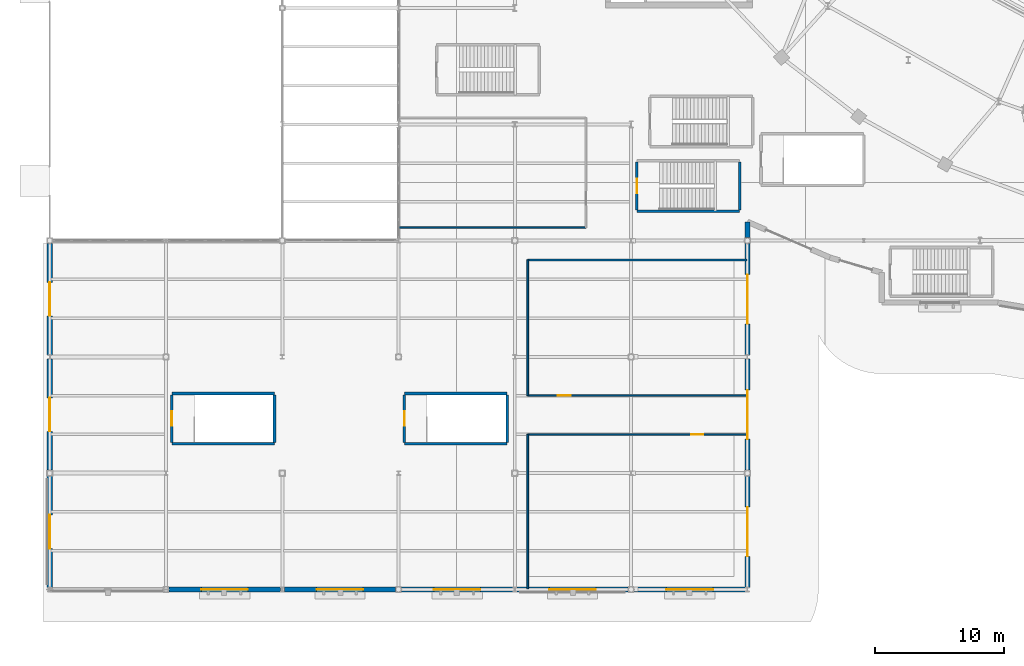
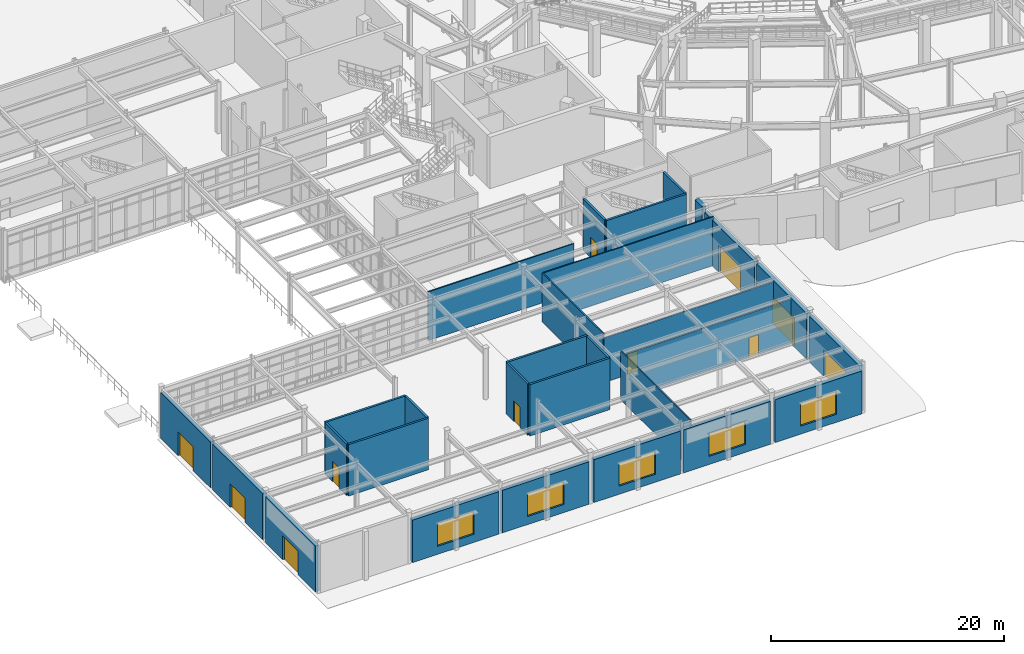
# One storey, part 47 of 79: 29 walls, 11 doors, 5 windows, 16 openings.
"""IFC4 building model written with IfcOpenShell, lengths in metres."""

from ifc_helpers import new_model, si_unit, direction, frame, frame_2d, origin, place, context, subcontext, project, spatial, rectangle, extrude, material, layer, layer_set, type_object, element, fill, save


model = new_model("IFC4")

# Units and contexts
model_context = context("Model", 3, precision=1e-05, world=origin(), true_north=direction((0.0, 1.0)))
body_context = subcontext(model_context, "Body", "Model", "MODEL_VIEW")
ifc_project = project(units=[si_unit("LENGTHUNIT", "METRE"), si_unit("AREAUNIT", "SQUARE_METRE"), si_unit("VOLUMEUNIT", "CUBIC_METRE"), si_unit("PLANEANGLEUNIT", "RADIAN"), si_unit("MASSUNIT", "GRAM", prefix="KILO")], contexts=[model_context])

# Site, building, storey
site_placement = place(None, origin())
site = spatial("IfcSite", under=ifc_project, at=site_placement, CompositionType="ELEMENT")
building_placement = place(site_placement, origin())
building = spatial("IfcBuilding", under=site, at=building_placement, Name="Glasvene Arena", CompositionType="ELEMENT")
storey_placement = place(building_placement, origin())
storey = spatial("IfcBuildingStorey", under=building, at=storey_placement, Name="L00", CompositionType="ELEMENT", Elevation=0.0)

# Wall
ifc_material_1 = material(Name="Coursed pale Irish limestone", Category="masonry")
ifc_layer_1 = layer(ifc_material_1, 0.39990234375)
ifc_layer_set_1 = layer_set([ifc_layer_1], Name="Coursed pale Irish limestone")
wall_type_1 = type_object("IfcWallType", Name="WL-EXT-LIM-400", PredefinedType="STANDARD", material=ifc_layer_set_1)
wall_1_placement = place(storey_placement, frame((54.0, 28.459716796875, 0.0), z_axis=(0.0, 0.0, 1.0), x_axis=(0.0, -1.0, 0.0)))
element("IfcWall", 1, at=wall_1_placement, inside=storey, type_object=wall_type_1, Name="External facade wall EW-L00-0054", PredefinedType="STANDARD", context=body_context, shape_type="SweptSolid", body=[
    extrude(rectangle(XDim=1.229248046875, YDim=0.39990234375, at=frame_2d((0.61474609375, 0.0))), origin(), (0.0, 0.0, 1.0), 5.1201171875),
])

# Wall, opening, door
wall_2_placement = place(storey_placement, frame((54.0, 26.76953125, 0.0), z_axis=(0.0, 0.0, 1.0), x_axis=(0.0, -1.0, 0.0)))
wall_2 = element("IfcWall", 2, at=wall_2_placement, inside=storey, type_object=wall_type_1, Name="External facade wall EW-L00-0055", PredefinedType="STANDARD", context=body_context, shape_type="SweptSolid", body=[
    extrude(rectangle(XDim=8.607177734375, YDim=0.39990234375, at=frame_2d((4.3037109375, 0.0))), origin(), (0.0, 0.0, 1.0), 4.81494140625),
])
opening_1_placement = place(wall_2_placement, frame((2.404052734375, 0.0, 0.0)))
opening_1 = element("IfcOpeningElement", 3, at=opening_1_placement, cuts=wall_2, Name="Opening E-MAIN", PredefinedType="OPENING", context=body_context, shape_type="SweptSolid", body=[
    extrude(rectangle(XDim=3.800048828125, YDim=2.800048828125, at=frame_2d((1.89990234375, 1.39990234375))), frame((0.0, 0.2099609375, 0.0), z_axis=(0.0, -1.0, 0.0), x_axis=(1.0, 0.0, 0.0)), (0.0, 0.0, 1.0), 0.419921875),
])
ifc_material_2 = material(Name="Anodised architectural aluminium", Category="aluminium")
door_type_1 = type_object("IfcDoorType", Name="DR-ENT-3800", OperationType="DOUBLE_DOOR_SINGLE_SWING", PredefinedType="DOOR", material=ifc_material_2)
door_1_placement = place(opening_1_placement, origin())
door_1 = element("IfcDoor", 4, at=door_1_placement, inside=storey, type_object=door_type_1, Name="Main entrance E18", OperationType="DOUBLE_DOOR_SINGLE_SWING", OverallHeight=2.800048828125, OverallWidth=3.800048828125, PredefinedType="DOOR", context=body_context, shape_type="SweptSolid", body=[
    extrude(rectangle(XDim=3.800048828125, YDim=2.800048828125, at=frame_2d((1.89990234375, 1.39990234375))), frame((0.0, 0.02490234375, 0.0), z_axis=(0.0, -1.0, 0.0), x_axis=(1.0, 0.0, 0.0)), (0.0, 0.0, 1.0), 0.050048828125),
])
fill(opening_1, door_1)

wall_3_placement = place(storey_placement, frame((54.0, 17.837646484375, 0.0), z_axis=(0.0, 0.0, 1.0), x_axis=(0.0, -1.0, 0.0)))
wall_3 = element("IfcWall", 5, at=wall_3_placement, inside=storey, type_object=wall_type_1, Name="External facade wall EW-L00-0056", PredefinedType="STANDARD", context=body_context, shape_type="SweptSolid", body=[
    extrude(rectangle(XDim=8.607177734375, YDim=0.39990234375, at=frame_2d((4.3037109375, 0.0))), origin(), (0.0, 0.0, 1.0), 4.81494140625),
])
opening_2_placement = place(wall_3_placement, frame((2.404052734375, 0.0, 0.0)))
opening_2 = element("IfcOpeningElement", 6, at=opening_2_placement, cuts=wall_3, Name="Opening E-MAIN", PredefinedType="OPENING", context=body_context, shape_type="SweptSolid", body=[
    extrude(rectangle(XDim=3.800048828125, YDim=2.800048828125, at=frame_2d((1.89990234375, 1.39990234375))), frame((0.0, 0.2099609375, 0.0), z_axis=(0.0, -1.0, 0.0), x_axis=(1.0, 0.0, 0.0)), (0.0, 0.0, 1.0), 0.419921875),
])
door_2_placement = place(opening_2_placement, origin())
door_2 = element("IfcDoor", 7, at=door_2_placement, inside=storey, type_object=door_type_1, Name="Main entrance E19", OperationType="DOUBLE_DOOR_SINGLE_SWING", OverallHeight=2.800048828125, OverallWidth=3.800048828125, PredefinedType="DOOR", context=body_context, shape_type="SweptSolid", body=[
    extrude(rectangle(XDim=3.800048828125, YDim=2.800048828125, at=frame_2d((1.89990234375, 1.39990234375))), frame((0.0, 0.02490234375, 0.0), z_axis=(0.0, -1.0, 0.0), x_axis=(1.0, 0.0, 0.0)), (0.0, 0.0, 1.0), 0.050048828125),
])
fill(opening_2, door_2)

wall_4_placement = place(storey_placement, frame((54.0, 8.76953125, 0.0), z_axis=(0.0, 0.0, 1.0), x_axis=(0.0, -1.0, 0.0)))
wall_4 = element("IfcWall", 8, at=wall_4_placement, inside=storey, type_object=wall_type_1, Name="External facade wall EW-L00-0057", PredefinedType="STANDARD", context=body_context, shape_type="SweptSolid", body=[
    extrude(rectangle(XDim=8.607177734375, YDim=0.39990234375, at=frame_2d((4.3037109375, 0.0))), origin(), (0.0, 0.0, 1.0), 4.81494140625),
])
opening_3_placement = place(wall_4_placement, frame((2.404052734375, 0.0, 0.0)))
opening_3 = element("IfcOpeningElement", 9, at=opening_3_placement, cuts=wall_4, Name="Opening E-MAIN", PredefinedType="OPENING", context=body_context, shape_type="SweptSolid", body=[
    extrude(rectangle(XDim=3.800048828125, YDim=2.800048828125, at=frame_2d((1.89990234375, 1.39990234375))), frame((0.0, 0.2099609375, 0.0), z_axis=(0.0, -1.0, 0.0), x_axis=(1.0, 0.0, 0.0)), (0.0, 0.0, 1.0), 0.419921875),
])
door_3_placement = place(opening_3_placement, origin())
door_3 = element("IfcDoor", 10, at=door_3_placement, inside=storey, type_object=door_type_1, Name="Main entrance E20", OperationType="DOUBLE_DOOR_SINGLE_SWING", OverallHeight=2.800048828125, OverallWidth=3.800048828125, PredefinedType="DOOR", context=body_context, shape_type="SweptSolid", body=[
    extrude(rectangle(XDim=3.800048828125, YDim=2.800048828125, at=frame_2d((1.89990234375, 1.39990234375))), frame((0.0, 0.02490234375, 0.0), z_axis=(0.0, -1.0, 0.0), x_axis=(1.0, 0.0, 0.0)), (0.0, 0.0, 1.0), 0.050048828125),
])
fill(opening_3, door_3)

# Wall, opening, window
wall_5_placement = place(storey_placement, frame((53.843505859375, 0.0, 0.0), z_axis=(0.0, 0.0, 1.0), x_axis=(-1.0, 0.0, 0.0)))
wall_5 = element("IfcWall", 11, at=wall_5_placement, inside=storey, type_object=wall_type_1, Name="External facade wall EW-L00-0058", PredefinedType="STANDARD", context=body_context, shape_type="SweptSolid", body=[
    extrude(rectangle(XDim=8.613037109375, YDim=0.39990234375, at=frame_2d((4.306640625, 0.0))), origin(), (0.0, 0.0, 1.0), 4.50732421875),
])
opening_4_placement = place(wall_5_placement, frame((2.506103515625, 0.0, 0.85009765625)))
opening_4 = element("IfcOpeningElement", 12, at=opening_4_placement, cuts=wall_5, Name="Opening W-01", PredefinedType="OPENING", context=body_context, shape_type="SweptSolid", body=[
    extrude(rectangle(XDim=3.60009765625, YDim=2.39990234375, at=frame_2d((1.800048828125, 1.199951171875))), frame((0.0, 0.2099609375, 0.0), z_axis=(0.0, -1.0, 0.0), x_axis=(1.0, 0.0, 0.0)), (0.0, 0.0, 1.0), 0.419921875),
])
ifc_material_3 = material(Name="Low-emissivity laminated double glazing", Category="glass")
window_type = type_object("IfcWindowType", Name="WN-FOY-360x240", PartitioningType="DOUBLE_PANEL_VERTICAL", PredefinedType="WINDOW", material=ifc_material_3)
window_1_placement = place(opening_4_placement, origin())
window_1 = element("IfcWindow", 13, at=window_1_placement, inside=storey, type_object=window_type, Name="Facade window WN-FOY-360x240 L00-0017", OverallHeight=2.39990234375, OverallWidth=3.60009765625, PartitioningType="SINGLE_PANEL", PredefinedType="WINDOW", context=body_context, shape_type="SweptSolid", body=[
    extrude(rectangle(XDim=3.60009765625, YDim=2.39990234375, at=frame_2d((1.800048828125, 1.199951171875))), frame((0.0, 0.030029296875, 0.0), z_axis=(0.0, -1.0, 0.0), x_axis=(1.0, 0.0, 0.0)), (0.0, 0.0, 1.0), 0.06005859375),
])
fill(opening_4, window_1)

wall_6_placement = place(storey_placement, frame((44.76953125, 0.0, 0.0), z_axis=(0.0, 0.0, 1.0), x_axis=(-1.0, 0.0, 0.0)))
wall_6 = element("IfcWall", 14, at=wall_6_placement, inside=storey, type_object=wall_type_1, Name="External facade wall EW-L00-0059", PredefinedType="STANDARD", context=body_context, shape_type="SweptSolid", body=[
    extrude(rectangle(XDim=8.613037109375, YDim=0.39990234375, at=frame_2d((4.306640625, 0.0))), origin(), (0.0, 0.0, 1.0), 4.50732421875),
])
opening_5_placement = place(wall_6_placement, frame((2.506103515625, 0.0, 0.85009765625)))
opening_5 = element("IfcOpeningElement", 15, at=opening_5_placement, cuts=wall_6, Name="Opening W-01", PredefinedType="OPENING", context=body_context, shape_type="SweptSolid", body=[
    extrude(rectangle(XDim=3.60009765625, YDim=2.39990234375, at=frame_2d((1.800048828125, 1.199951171875))), frame((0.0, 0.2099609375, 0.0), z_axis=(0.0, -1.0, 0.0), x_axis=(1.0, 0.0, 0.0)), (0.0, 0.0, 1.0), 0.419921875),
])
window_2_placement = place(opening_5_placement, origin())
window_2 = element("IfcWindow", 16, at=window_2_placement, inside=storey, type_object=window_type, Name="Facade window WN-FOY-360x240 L00-0018", OverallHeight=2.39990234375, OverallWidth=3.60009765625, PartitioningType="SINGLE_PANEL", PredefinedType="WINDOW", context=body_context, shape_type="SweptSolid", body=[
    extrude(rectangle(XDim=3.60009765625, YDim=2.39990234375, at=frame_2d((1.800048828125, 1.199951171875))), frame((0.0, 0.030029296875, 0.0), z_axis=(0.0, -1.0, 0.0), x_axis=(1.0, 0.0, 0.0)), (0.0, 0.0, 1.0), 0.06005859375),
])
fill(opening_5, window_2)

wall_7_placement = place(storey_placement, frame((35.843505859375, 0.0, 0.0), z_axis=(0.0, 0.0, 1.0), x_axis=(-1.0, 0.0, 0.0)))
wall_7 = element("IfcWall", 17, at=wall_7_placement, inside=storey, type_object=wall_type_1, Name="External facade wall EW-L00-0060", PredefinedType="STANDARD", context=body_context, shape_type="SweptSolid", body=[
    extrude(rectangle(XDim=8.613037109375, YDim=0.39990234375, at=frame_2d((4.306640625, 0.0))), origin(), (0.0, 0.0, 1.0), 4.50732421875),
])
opening_6_placement = place(wall_7_placement, frame((2.506103515625, 0.0, 0.85009765625)))
opening_6 = element("IfcOpeningElement", 18, at=opening_6_placement, cuts=wall_7, Name="Opening W-01", PredefinedType="OPENING", context=body_context, shape_type="SweptSolid", body=[
    extrude(rectangle(XDim=3.60009765625, YDim=2.39990234375, at=frame_2d((1.800048828125, 1.199951171875))), frame((0.0, 0.2099609375, 0.0), z_axis=(0.0, -1.0, 0.0), x_axis=(1.0, 0.0, 0.0)), (0.0, 0.0, 1.0), 0.419921875),
])
window_3_placement = place(opening_6_placement, origin())
window_3 = element("IfcWindow", 19, at=window_3_placement, inside=storey, type_object=window_type, Name="Facade window WN-FOY-360x240 L00-0019", OverallHeight=2.39990234375, OverallWidth=3.60009765625, PartitioningType="SINGLE_PANEL", PredefinedType="WINDOW", context=body_context, shape_type="SweptSolid", body=[
    extrude(rectangle(XDim=3.60009765625, YDim=2.39990234375, at=frame_2d((1.800048828125, 1.199951171875))), frame((0.0, 0.030029296875, 0.0), z_axis=(0.0, -1.0, 0.0), x_axis=(1.0, 0.0, 0.0)), (0.0, 0.0, 1.0), 0.06005859375),
])
fill(opening_6, window_3)

wall_8_placement = place(storey_placement, frame((26.76953125, 0.0, 0.0), z_axis=(0.0, 0.0, 1.0), x_axis=(-1.0, 0.0, 0.0)))
wall_8 = element("IfcWall", 20, at=wall_8_placement, inside=storey, type_object=wall_type_1, Name="External facade wall EW-L00-0061", PredefinedType="STANDARD", context=body_context, shape_type="SweptSolid", body=[
    extrude(rectangle(XDim=8.613037109375, YDim=0.39990234375, at=frame_2d((4.306640625, 0.0))), origin(), (0.0, 0.0, 1.0), 4.465087890625),
])
opening_7_placement = place(wall_8_placement, frame((2.506103515625, 0.0, 0.85009765625)))
opening_7 = element("IfcOpeningElement", 21, at=opening_7_placement, cuts=wall_8, Name="Opening W-01", PredefinedType="OPENING", context=body_context, shape_type="SweptSolid", body=[
    extrude(rectangle(XDim=3.60009765625, YDim=2.39990234375, at=frame_2d((1.800048828125, 1.199951171875))), frame((0.0, 0.2099609375, 0.0), z_axis=(0.0, -1.0, 0.0), x_axis=(1.0, 0.0, 0.0)), (0.0, 0.0, 1.0), 0.419921875),
])
window_4_placement = place(opening_7_placement, origin())
window_4 = element("IfcWindow", 22, at=window_4_placement, inside=storey, type_object=window_type, Name="Facade window WN-FOY-360x240 L00-0020", OverallHeight=2.39990234375, OverallWidth=3.60009765625, PartitioningType="SINGLE_PANEL", PredefinedType="WINDOW", context=body_context, shape_type="SweptSolid", body=[
    extrude(rectangle(XDim=3.60009765625, YDim=2.39990234375, at=frame_2d((1.800048828125, 1.199951171875))), frame((0.0, 0.030029296875, 0.0), z_axis=(0.0, -1.0, 0.0), x_axis=(1.0, 0.0, 0.0)), (0.0, 0.0, 1.0), 0.06005859375),
])
fill(opening_7, window_4)

wall_9_placement = place(storey_placement, frame((17.843505859375, 0.0, 0.0), z_axis=(0.0, 0.0, 1.0), x_axis=(-1.0, 0.0, 0.0)))
wall_9 = element("IfcWall", 23, at=wall_9_placement, inside=storey, type_object=wall_type_1, Name="External facade wall EW-L00-0062", PredefinedType="STANDARD", context=body_context, shape_type="SweptSolid", body=[
    extrude(rectangle(XDim=8.613037109375, YDim=0.39990234375, at=frame_2d((4.306640625, 0.0))), origin(), (0.0, 0.0, 1.0), 4.465087890625),
])
opening_8_placement = place(wall_9_placement, frame((2.506103515625, 0.0, 0.85009765625)))
opening_8 = element("IfcOpeningElement", 24, at=opening_8_placement, cuts=wall_9, Name="Opening W-01", PredefinedType="OPENING", context=body_context, shape_type="SweptSolid", body=[
    extrude(rectangle(XDim=3.60009765625, YDim=2.39990234375, at=frame_2d((1.800048828125, 1.199951171875))), frame((0.0, 0.2099609375, 0.0), z_axis=(0.0, -1.0, 0.0), x_axis=(1.0, 0.0, 0.0)), (0.0, 0.0, 1.0), 0.419921875),
])
window_5_placement = place(opening_8_placement, origin())
window_5 = element("IfcWindow", 25, at=window_5_placement, inside=storey, type_object=window_type, Name="Facade window WN-FOY-360x240 L00-0021", OverallHeight=2.39990234375, OverallWidth=3.60009765625, PartitioningType="SINGLE_PANEL", PredefinedType="WINDOW", context=body_context, shape_type="SweptSolid", body=[
    extrude(rectangle(XDim=3.60009765625, YDim=2.39990234375, at=frame_2d((1.800048828125, 1.199951171875))), frame((0.0, 0.030029296875, 0.0), z_axis=(0.0, -1.0, 0.0), x_axis=(1.0, 0.0, 0.0)), (0.0, 0.0, 1.0), 0.06005859375),
])
fill(opening_8, window_5)

# Wall, opening, door
wall_10_placement = place(storey_placement, frame((0.0, 0.162353515625, 0.0), z_axis=(0.0, 0.0, 1.0), x_axis=(0.0, 1.0, 0.0)))
wall_10 = element("IfcWall", 26, at=wall_10_placement, inside=storey, type_object=wall_type_1, Name="External facade wall EW-L00-0063", PredefinedType="STANDARD", context=body_context, shape_type="SweptSolid", body=[
    extrude(rectangle(XDim=8.607177734375, YDim=0.39990234375, at=frame_2d((4.3037109375, 0.0))), origin(), (0.0, 0.0, 1.0), 4.81494140625),
])
opening_9_placement = place(wall_10_placement, frame((3.00390625, 0.0, 0.0)))
opening_9 = element("IfcOpeningElement", 27, at=opening_9_placement, cuts=wall_10, Name="Opening G-EXIT", PredefinedType="OPENING", context=body_context, shape_type="SweptSolid", body=[
    extrude(rectangle(XDim=2.60009765625, YDim=2.5, at=frame_2d((1.300048828125, 1.25))), frame((0.0, 0.2099609375, 0.0), z_axis=(0.0, -1.0, 0.0), x_axis=(1.0, 0.0, 0.0)), (0.0, 0.0, 1.0), 0.419921875),
])
ifc_material_4 = material(Name="Galvanised painted steel", Category="steel")
door_type_2 = type_object("IfcDoorType", Name="DR-GATE-2600", OperationType="DOUBLE_DOOR_SINGLE_SWING", PredefinedType="DOOR", material=ifc_material_4)
door_4_placement = place(opening_9_placement, origin())
door_4 = element("IfcDoor", 28, at=door_4_placement, inside=storey, type_object=door_type_2, Name="Pedestrian exit gate G04", OperationType="DOUBLE_DOOR_SINGLE_SWING", OverallHeight=2.5, OverallWidth=2.60009765625, PredefinedType="DOOR", context=body_context, shape_type="SweptSolid", body=[
    extrude(rectangle(XDim=2.60009765625, YDim=2.5, at=frame_2d((1.300048828125, 1.25))), frame((0.0, 0.02490234375, 0.0), z_axis=(0.0, -1.0, 0.0), x_axis=(1.0, 0.0, 0.0)), (0.0, 0.0, 1.0), 0.050048828125),
])
fill(opening_9, door_4)

wall_11_placement = place(storey_placement, frame((0.0, 9.23046875, 0.0), z_axis=(0.0, 0.0, 1.0), x_axis=(0.0, 1.0, 0.0)))
wall_11 = element("IfcWall", 29, at=wall_11_placement, inside=storey, type_object=wall_type_1, Name="External facade wall EW-L00-0064", PredefinedType="STANDARD", context=body_context, shape_type="SweptSolid", body=[
    extrude(rectangle(XDim=8.607177734375, YDim=0.39990234375, at=frame_2d((4.3037109375, 0.0))), origin(), (0.0, 0.0, 1.0), 4.81494140625),
])
opening_10_placement = place(wall_11_placement, frame((3.00390625, 0.0, 0.0)))
opening_10 = element("IfcOpeningElement", 30, at=opening_10_placement, cuts=wall_11, Name="Opening G-EXIT", PredefinedType="OPENING", context=body_context, shape_type="SweptSolid", body=[
    extrude(rectangle(XDim=2.60009765625, YDim=2.5, at=frame_2d((1.300048828125, 1.25))), frame((0.0, 0.2099609375, 0.0), z_axis=(0.0, -1.0, 0.0), x_axis=(1.0, 0.0, 0.0)), (0.0, 0.0, 1.0), 0.419921875),
])
door_5_placement = place(opening_10_placement, origin())
door_5 = element("IfcDoor", 31, at=door_5_placement, inside=storey, type_object=door_type_2, Name="Pedestrian exit gate G05", OperationType="DOUBLE_DOOR_SINGLE_SWING", OverallHeight=2.5, OverallWidth=2.60009765625, PredefinedType="DOOR", context=body_context, shape_type="SweptSolid", body=[
    extrude(rectangle(XDim=2.60009765625, YDim=2.5, at=frame_2d((1.300048828125, 1.25))), frame((0.0, 0.02490234375, 0.0), z_axis=(0.0, -1.0, 0.0), x_axis=(1.0, 0.0, 0.0)), (0.0, 0.0, 1.0), 0.050048828125),
])
fill(opening_10, door_5)

wall_12_placement = place(storey_placement, frame((0.0, 18.162353515625, 0.0), z_axis=(0.0, 0.0, 1.0), x_axis=(0.0, 1.0, 0.0)))
wall_12 = element("IfcWall", 32, at=wall_12_placement, inside=storey, type_object=wall_type_1, Name="External facade wall EW-L00-0065", PredefinedType="STANDARD", context=body_context, shape_type="SweptSolid", body=[
    extrude(rectangle(XDim=8.607177734375, YDim=0.39990234375, at=frame_2d((4.3037109375, 0.0))), origin(), (0.0, 0.0, 1.0), 4.81494140625),
])
opening_11_placement = place(wall_12_placement, frame((3.00390625, 0.0, 0.0)))
opening_11 = element("IfcOpeningElement", 33, at=opening_11_placement, cuts=wall_12, Name="Opening G-EXIT", PredefinedType="OPENING", context=body_context, shape_type="SweptSolid", body=[
    extrude(rectangle(XDim=2.60009765625, YDim=2.5, at=frame_2d((1.300048828125, 1.25))), frame((0.0, 0.2099609375, 0.0), z_axis=(0.0, -1.0, 0.0), x_axis=(1.0, 0.0, 0.0)), (0.0, 0.0, 1.0), 0.419921875),
])
door_6_placement = place(opening_11_placement, origin())
door_6 = element("IfcDoor", 34, at=door_6_placement, inside=storey, type_object=door_type_2, Name="Pedestrian exit gate G06", OperationType="DOUBLE_DOOR_SINGLE_SWING", OverallHeight=2.5, OverallWidth=2.60009765625, PredefinedType="DOOR", context=body_context, shape_type="SweptSolid", body=[
    extrude(rectangle(XDim=2.60009765625, YDim=2.5, at=frame_2d((1.300048828125, 1.25))), frame((0.0, 0.02490234375, 0.0), z_axis=(0.0, -1.0, 0.0), x_axis=(1.0, 0.0, 0.0)), (0.0, 0.0, 1.0), 0.050048828125),
])
fill(opening_11, door_6)

ifc_material_5 = material(Name="Lightweight gypsum metal-stud partition")
ifc_layer_2 = layer(ifc_material_5, 0.1201171875)
ifc_layer_set_2 = layer_set([ifc_layer_2], Name="Lightweight gypsum metal-stud partition")
wall_type_2 = type_object("IfcWallType", Name="WL-PART-120", PredefinedType="PARTITIONING", material=ifc_layer_set_2)
wall_13_placement = place(storey_placement, frame((37.0, 12.0, 0.0), z_axis=(0.0, 0.0, 1.0), x_axis=(1.0, 0.0, 0.0)))
wall_13 = element("IfcWall", 35, at=wall_13_placement, inside=storey, type_object=wall_type_2, Name="Interior partition wall IW-L00-0084 (Civic Ticketing Hall)", PredefinedType="PARTITIONING", context=body_context, shape_type="SweptSolid", body=[
    extrude(rectangle(XDim=16.9599609375, YDim=0.1201171875, at=frame_2d((8.47998046875, 0.0))), origin(), (0.0, 0.0, 1.0), 4.657958984375),
])
opening_12_placement = place(wall_13_placement, frame((12.64306640625, 0.0, 0.0)))
opening_12 = element("IfcOpeningElement", 36, at=opening_12_placement, cuts=wall_13, Name="Opening D-07", PredefinedType="OPENING", context=body_context, shape_type="SweptSolid", body=[
    extrude(rectangle(XDim=0.949951171875, YDim=2.10009765625, at=frame_2d((0.47509765625, 1.050048828125))), frame((0.0, 0.070068359375, 0.0), z_axis=(0.0, -1.0, 0.0), x_axis=(1.0, 0.0, 0.0)), (0.0, 0.0, 1.0), 0.14013671875),
])
ifc_material_6 = material(Name="European oak fire-resisting timber", Category="wood")
door_type_3 = type_object("IfcDoorType", Name="DR-FD30-950", OperationType="NOTDEFINED", PredefinedType="DOOR", material=ifc_material_6)
door_7_placement = place(opening_12_placement, origin())
door_7 = element("IfcDoor", 37, at=door_7_placement, inside=storey, type_object=door_type_3, Name="Interior door DR-FD30-950 (Civic Ticketing Hall)", OperationType="SINGLE_SWING_LEFT", OverallHeight=2.10009765625, OverallWidth=0.949951171875, PredefinedType="DOOR", context=body_context, shape_type="SweptSolid", body=[
    extrude(rectangle(XDim=0.949951171875, YDim=2.10009765625, at=frame_2d((0.47509765625, 1.050048828125))), frame((0.0, 0.02490234375, 0.0), z_axis=(0.0, -1.0, 0.0), x_axis=(1.0, 0.0, 0.0)), (0.0, 0.0, 1.0), 0.050048828125),
])
fill(opening_12, door_7)

# Walls
wall_14_placement = place(storey_placement, frame((37.0, 0.0400390625, 0.0), z_axis=(0.0, 0.0, 1.0), x_axis=(0.0, 1.0, 0.0)))
element("IfcWall", 38, at=wall_14_placement, inside=storey, type_object=wall_type_2, Name="Interior partition wall IW-L00-0085 (Civic Ticketing Hall)", PredefinedType="PARTITIONING", context=body_context, shape_type="SweptSolid", body=[
    extrude(rectangle(XDim=11.9599609375, YDim=0.1201171875, at=frame_2d((5.97998046875, 0.0))), origin(), (0.0, 0.0, 1.0), 5.1201171875),
])
wall_15_placement = place(storey_placement, frame((37.0, 25.5, 0.0), z_axis=(0.0, 0.0, 1.0), x_axis=(1.0, 0.0, 0.0)))
element("IfcWall", 39, at=wall_15_placement, inside=storey, type_object=wall_type_2, Name="Interior partition wall IW-L00-0086 (Arena Venue Shop)", PredefinedType="PARTITIONING", context=body_context, shape_type="SweptSolid", body=[
    extrude(rectangle(XDim=16.9599609375, YDim=0.1201171875, at=frame_2d((8.47998046875, 0.0))), origin(), (0.0, 0.0, 1.0), 5.1201171875),
])

# Wall, opening, door
wall_16_placement = place(storey_placement, frame((53.9599609375, 15.0, 0.0), z_axis=(0.0, 0.0, 1.0), x_axis=(-1.0, 0.0, 0.0)))
wall_16 = element("IfcWall", 40, at=wall_16_placement, inside=storey, type_object=wall_type_2, Name="Interior partition wall IW-L00-0087 (Arena Venue Shop)", PredefinedType="PARTITIONING", context=body_context, shape_type="SweptSolid", body=[
    extrude(rectangle(XDim=16.9599609375, YDim=0.1201171875, at=frame_2d((8.47998046875, 0.0))), origin(), (0.0, 0.0, 1.0), 4.657958984375),
])
opening_13_placement = place(wall_16_placement, frame((13.64892578125, 0.0, 0.0)))
opening_13 = element("IfcOpeningElement", 41, at=opening_13_placement, cuts=wall_16, Name="Opening D-06", PredefinedType="OPENING", context=body_context, shape_type="SweptSolid", body=[
    extrude(rectangle(XDim=1.0, YDim=2.14990234375, at=frame_2d((0.5, 1.074951171875))), frame((0.0, 0.070068359375, 0.0), z_axis=(0.0, -1.0, 0.0), x_axis=(1.0, 0.0, 0.0)), (0.0, 0.0, 1.0), 0.14013671875),
])
door_type_4 = type_object("IfcDoorType", Name="DR-FD30-1000", OperationType="NOTDEFINED", PredefinedType="DOOR", material=ifc_material_6)
door_8_placement = place(opening_13_placement, origin())
door_8 = element("IfcDoor", 42, at=door_8_placement, inside=storey, type_object=door_type_4, Name="Interior door DR-FD30-1000 (Arena Venue Shop)", OperationType="SINGLE_SWING_RIGHT", OverallHeight=2.14990234375, OverallWidth=1.0, PredefinedType="DOOR", context=body_context, shape_type="SweptSolid", body=[
    extrude(rectangle(XDim=1.0, YDim=2.14990234375, at=frame_2d((0.5, 1.074951171875))), frame((0.0, 0.02490234375, 0.0), z_axis=(0.0, -1.0, 0.0), x_axis=(1.0, 0.0, 0.0)), (0.0, 0.0, 1.0), 0.050048828125),
])
fill(opening_13, door_8)

# Walls
wall_17_placement = place(storey_placement, frame((37.0, 15.0, 0.0), z_axis=(0.0, 0.0, 1.0), x_axis=(0.0, 1.0, 0.0)))
element("IfcWall", 43, at=wall_17_placement, inside=storey, type_object=wall_type_2, Name="Interior partition wall IW-L00-0088 (Arena Venue Shop)", PredefinedType="PARTITIONING", context=body_context, shape_type="SweptSolid", body=[
    extrude(rectangle(XDim=10.5, YDim=0.1201171875, at=frame_2d((5.25, 0.0))), origin(), (0.0, 0.0, 1.0), 5.1201171875),
])
wall_18_placement = place(storey_placement, frame((41.5, 28.0, 0.0), z_axis=(0.0, 0.0, 1.0), x_axis=(-1.0, 0.0, 0.0)))
element("IfcWall", 44, at=wall_18_placement, inside=storey, type_object=wall_type_2, Name="Interior partition wall IW-L00-0091 (Forecourt Cafe and Bakery)", PredefinedType="PARTITIONING", context=body_context, shape_type="SweptSolid", body=[
    extrude(rectangle(XDim=14.47998046875, YDim=0.1201171875, at=frame_2d((7.239990234375, 0.0))), origin(), (0.0, 0.0, 1.0), 5.1201171875),
])
ifc_material_7 = material(Name="Concrete C40/50", Category="concrete")
ifc_layer_3 = layer(ifc_material_7, 0.199951171875)
ifc_layer_set_3 = layer_set([ifc_layer_3], Name="Concrete C40/50")
wall_type_3 = type_object("IfcWallType", Name="WL-SHAFT-200", PredefinedType="SHEAR", material=ifc_layer_set_3)
wall_19_placement = place(storey_placement, frame((45.449951171875, 29.280029296875, 0.0), z_axis=(0.0, 0.0, 1.0), x_axis=(1.0, 0.0, 0.0)))
element("IfcWall", 45, at=wall_19_placement, inside=storey, type_object=wall_type_3, Name="Escape stair shaft wall ST-16 L00 S", PredefinedType="SHEAR", context=body_context, shape_type="SweptSolid", body=[
    extrude(rectangle(XDim=7.949951171875, YDim=0.199951171875, at=frame_2d((3.97509765625, 0.0))), origin(), (0.0, 0.0, 1.0), 5.39990234375),
])

# Wall, opening, door
wall_20_placement = place(storey_placement, frame((45.449951171875, 29.382080078125, 0.0), z_axis=(0.0, 0.0, 1.0), x_axis=(0.0, 1.0, 0.0)))
wall_20 = element("IfcWall", 46, at=wall_20_placement, inside=storey, type_object=wall_type_3, Name="Escape stair shaft wall ST-16 L00 W", PredefinedType="SHEAR", context=body_context, shape_type="SweptSolid", body=[
    extrude(rectangle(XDim=3.68603515625, YDim=0.199951171875, at=frame_2d((1.843017578125, 0.0))), origin(), (0.0, 0.0, 1.0), 5.39990234375),
])
opening_14_placement = place(wall_20_placement, frame((1.29296875, 0.0, 0.0)))
opening_14 = element("IfcOpeningElement", 47, at=opening_14_placement, cuts=wall_20, Name="Opening D-04", PredefinedType="OPENING", context=body_context, shape_type="SweptSolid", body=[
    extrude(rectangle(XDim=1.10009765625, YDim=2.14990234375, at=frame_2d((0.550048828125, 1.074951171875))), frame((0.0, 0.10986328125, 0.0), z_axis=(0.0, -1.0, 0.0), x_axis=(1.0, 0.0, 0.0)), (0.0, 0.0, 1.0), 0.219970703125),
])
ifc_material_8 = material(Name="Painted fire-resisting steel", Category="steel")
door_type_5 = type_object("IfcDoorType", Name="DR-FD60-1100", OperationType="NOTDEFINED", PredefinedType="DOOR", material=ifc_material_8)
door_9_placement = place(opening_14_placement, frame((1.10009765625, 0.0, 0.0), z_axis=(0.0, 0.0, 1.0), x_axis=(-1.0, 0.0, 0.0)))
door_9 = element("IfcDoor", 48, at=door_9_placement, inside=storey, type_object=door_type_5, Name="Protected escape stair door ST-16 L00", OperationType="SINGLE_SWING_RIGHT", OverallHeight=2.14990234375, OverallWidth=1.10009765625, PredefinedType="DOOR", context=body_context, shape_type="SweptSolid", body=[
    extrude(rectangle(XDim=1.10009765625, YDim=2.14990234375, at=frame_2d((0.550048828125, 1.074951171875))), frame((0.0, 0.02490234375, 0.0), z_axis=(0.0, -1.0, 0.0), x_axis=(1.0, 0.0, 0.0)), (0.0, 0.0, 1.0), 0.050048828125),
])
fill(opening_14, door_9)

# Walls
wall_21_placement = place(storey_placement, frame((53.39990234375, 29.382080078125, 0.0), z_axis=(0.0, 0.0, 1.0), x_axis=(0.0, 1.0, 0.0)))
element("IfcWall", 49, at=wall_21_placement, inside=storey, type_object=wall_type_3, Name="Escape stair shaft wall ST-16 L00 E", PredefinedType="SHEAR", context=body_context, shape_type="SweptSolid", body=[
    extrude(rectangle(XDim=3.68603515625, YDim=0.199951171875, at=frame_2d((1.843017578125, 0.0))), origin(), (0.0, 0.0, 1.0), 5.39990234375),
])
wall_22_placement = place(storey_placement, frame((9.449951171875, 11.280029296875, 0.0), z_axis=(0.0, 0.0, 1.0), x_axis=(1.0, 0.0, 0.0)))
element("IfcWall", 50, at=wall_22_placement, inside=storey, type_object=wall_type_3, Name="Escape stair shaft wall ST-B02 L00 S", PredefinedType="SHEAR", context=body_context, shape_type="SweptSolid", body=[
    extrude(rectangle(XDim=7.949951171875, YDim=0.199951171875, at=frame_2d((3.97509765625, 0.0))), origin(), (0.0, 0.0, 1.0), 5.39990234375),
])

# Wall, opening, door
wall_23_placement = place(storey_placement, frame((9.449951171875, 11.382080078125, 0.0), z_axis=(0.0, 0.0, 1.0), x_axis=(0.0, 1.0, 0.0)))
wall_23 = element("IfcWall", 51, at=wall_23_placement, inside=storey, type_object=wall_type_3, Name="Escape stair shaft wall ST-B02 L00 W", PredefinedType="SHEAR", context=body_context, shape_type="SweptSolid", body=[
    extrude(rectangle(XDim=3.68603515625, YDim=0.199951171875, at=frame_2d((1.843017578125, 0.0))), origin(), (0.0, 0.0, 1.0), 5.39990234375),
])
opening_15_placement = place(wall_23_placement, frame((1.29296875, 0.0, 0.0)))
opening_15 = element("IfcOpeningElement", 52, at=opening_15_placement, cuts=wall_23, Name="Opening D-04", PredefinedType="OPENING", context=body_context, shape_type="SweptSolid", body=[
    extrude(rectangle(XDim=1.10009765625, YDim=2.14990234375, at=frame_2d((0.550048828125, 1.074951171875))), frame((0.0, 0.10986328125, 0.0), z_axis=(0.0, -1.0, 0.0), x_axis=(1.0, 0.0, 0.0)), (0.0, 0.0, 1.0), 0.219970703125),
])
door_10_placement = place(opening_15_placement, frame((1.10009765625, 0.0, 0.0), z_axis=(0.0, 0.0, 1.0), x_axis=(-1.0, 0.0, 0.0)))
door_10 = element("IfcDoor", 53, at=door_10_placement, inside=storey, type_object=door_type_5, Name="Protected escape stair door ST-B02 L00", OperationType="SINGLE_SWING_LEFT", OverallHeight=2.14990234375, OverallWidth=1.10009765625, PredefinedType="DOOR", context=body_context, shape_type="SweptSolid", body=[
    extrude(rectangle(XDim=1.10009765625, YDim=2.14990234375, at=frame_2d((0.550048828125, 1.074951171875))), frame((0.0, 0.02490234375, 0.0), z_axis=(0.0, -1.0, 0.0), x_axis=(1.0, 0.0, 0.0)), (0.0, 0.0, 1.0), 0.050048828125),
])
fill(opening_15, door_10)

# Walls
wall_24_placement = place(storey_placement, frame((17.39990234375, 11.382080078125, 0.0), z_axis=(0.0, 0.0, 1.0), x_axis=(0.0, 1.0, 0.0)))
element("IfcWall", 54, at=wall_24_placement, inside=storey, type_object=wall_type_3, Name="Escape stair shaft wall ST-B02 L00 E", PredefinedType="SHEAR", context=body_context, shape_type="SweptSolid", body=[
    extrude(rectangle(XDim=3.68603515625, YDim=0.199951171875, at=frame_2d((1.843017578125, 0.0))), origin(), (0.0, 0.0, 1.0), 5.39990234375),
])
for number, where, z_axis, x_axis, name in (
    (55, (9.449951171875, 15.169921875, 0.0), (0.0, 0.0, 1.0), (1.0, 0.0, 0.0), "Escape stair shaft wall ST-B02 L00 N"),
    (56, (27.449951171875, 11.280029296875, 0.0), (0.0, 0.0, 1.0), (1.0, 0.0, 0.0), "Escape stair shaft wall ST-B03 L00 S"),
):
    element("IfcWall", number, at=place(storey_placement, frame(where, z_axis=z_axis, x_axis=x_axis)), inside=storey, type_object=wall_type_3, Name=name, PredefinedType="SHEAR", context=body_context, shape_type="SweptSolid", body=[
        extrude(rectangle(XDim=7.949951171875, YDim=0.199951171875, at=frame_2d((3.97509765625, 0.0))), origin(), (0.0, 0.0, 1.0), 5.39990234375),
    ])

# Wall, opening, door
wall_25_placement = place(storey_placement, frame((27.449951171875, 11.382080078125, 0.0), z_axis=(0.0, 0.0, 1.0), x_axis=(0.0, 1.0, 0.0)))
wall_25 = element("IfcWall", 57, at=wall_25_placement, inside=storey, type_object=wall_type_3, Name="Escape stair shaft wall ST-B03 L00 W", PredefinedType="SHEAR", context=body_context, shape_type="SweptSolid", body=[
    extrude(rectangle(XDim=3.68603515625, YDim=0.199951171875, at=frame_2d((1.843017578125, 0.0))), origin(), (0.0, 0.0, 1.0), 5.39990234375),
])
opening_16_placement = place(wall_25_placement, frame((1.29296875, 0.0, 0.0)))
opening_16 = element("IfcOpeningElement", 58, at=opening_16_placement, cuts=wall_25, Name="Opening D-04", PredefinedType="OPENING", context=body_context, shape_type="SweptSolid", body=[
    extrude(rectangle(XDim=1.10009765625, YDim=2.14990234375, at=frame_2d((0.550048828125, 1.074951171875))), frame((0.0, 0.10986328125, 0.0), z_axis=(0.0, -1.0, 0.0), x_axis=(1.0, 0.0, 0.0)), (0.0, 0.0, 1.0), 0.219970703125),
])
door_11_placement = place(opening_16_placement, frame((1.10009765625, 0.0, 0.0), z_axis=(0.0, 0.0, 1.0), x_axis=(-1.0, 0.0, 0.0)))
door_11 = element("IfcDoor", 59, at=door_11_placement, inside=storey, type_object=door_type_5, Name="Protected escape stair door ST-B03 L00", OperationType="SINGLE_SWING_LEFT", OverallHeight=2.14990234375, OverallWidth=1.10009765625, PredefinedType="DOOR", context=body_context, shape_type="SweptSolid", body=[
    extrude(rectangle(XDim=1.10009765625, YDim=2.14990234375, at=frame_2d((0.550048828125, 1.074951171875))), frame((0.0, 0.02490234375, 0.0), z_axis=(0.0, -1.0, 0.0), x_axis=(1.0, 0.0, 0.0)), (0.0, 0.0, 1.0), 0.050048828125),
])
fill(opening_16, door_11)

# Walls
wall_26_placement = place(storey_placement, frame((35.39990234375, 11.382080078125, 0.0), z_axis=(0.0, 0.0, 1.0), x_axis=(0.0, 1.0, 0.0)))
element("IfcWall", 60, at=wall_26_placement, inside=storey, type_object=wall_type_3, Name="Escape stair shaft wall ST-B03 L00 E", PredefinedType="SHEAR", context=body_context, shape_type="SweptSolid", body=[
    extrude(rectangle(XDim=3.68603515625, YDim=0.199951171875, at=frame_2d((1.843017578125, 0.0))), origin(), (0.0, 0.0, 1.0), 5.39990234375),
])
wall_27_placement = place(storey_placement, frame((27.449951171875, 15.169921875, 0.0), z_axis=(0.0, 0.0, 1.0), x_axis=(1.0, 0.0, 0.0)))
element("IfcWall", 61, at=wall_27_placement, inside=storey, type_object=wall_type_3, Name="Escape stair shaft wall ST-B03 L00 N", PredefinedType="SHEAR", context=body_context, shape_type="SweptSolid", body=[
    extrude(rectangle(XDim=7.949951171875, YDim=0.199951171875, at=frame_2d((3.97509765625, 0.0))), origin(), (0.0, 0.0, 1.0), 5.39990234375),
])

save(model, "model.ifc")
